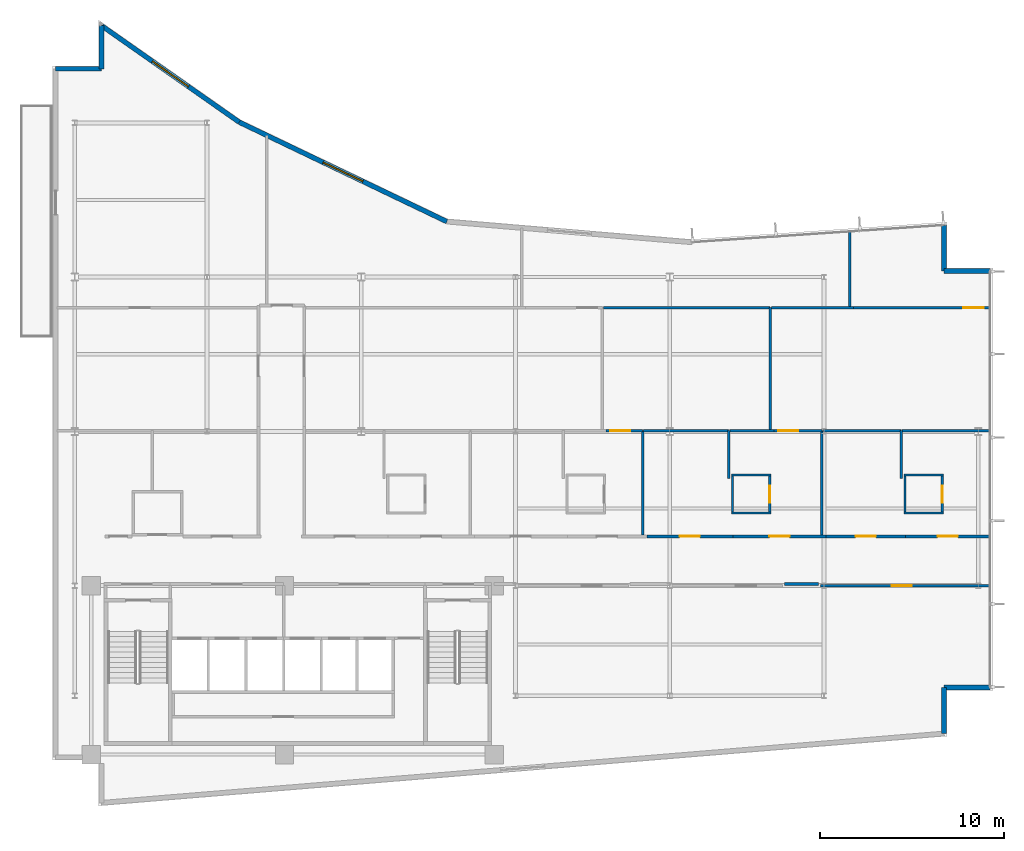
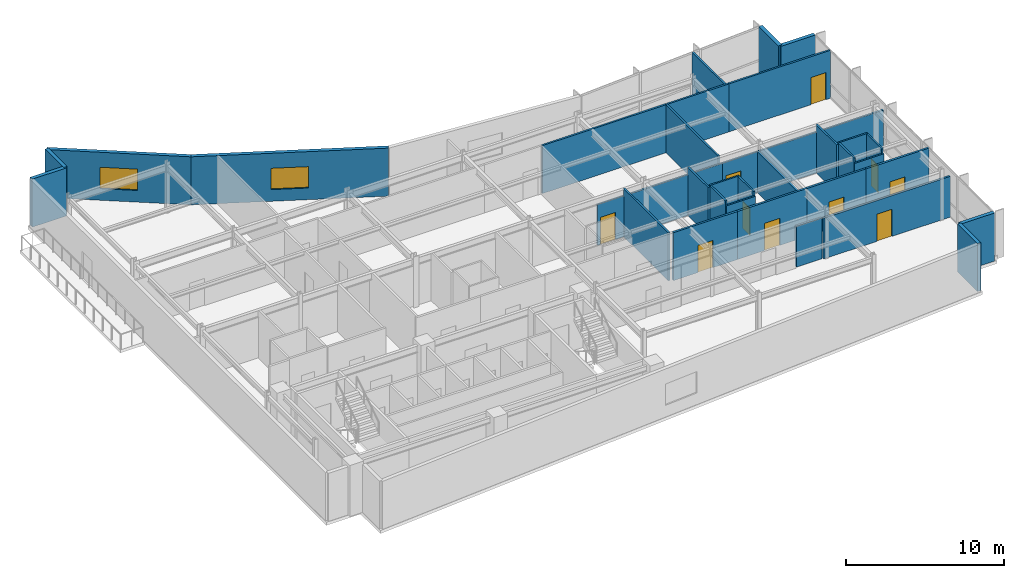
# One storey, part 13 of 17: 37 walls, 10 doors, 2 windows, 12 openings.
"""IFC4 building model written with IfcOpenShell, lengths in metres."""

from ifc_helpers import new_model, si_unit, direction, frame, frame_2d, origin, place, context, subcontext, project, spatial, rectangle, extrude, material, layer, layer_set, type_object, element, fill, save


model = new_model("IFC4")

# Units and contexts
model_context = context("Model", 3, precision=1e-05, world=origin(), true_north=direction((0.0, 1.0)))
body_context = subcontext(model_context, "Body", "Model", "MODEL_VIEW")
ifc_project = project(units=[si_unit("LENGTHUNIT", "METRE"), si_unit("AREAUNIT", "SQUARE_METRE"), si_unit("VOLUMEUNIT", "CUBIC_METRE"), si_unit("PLANEANGLEUNIT", "RADIAN"), si_unit("MASSUNIT", "GRAM", prefix="KILO")], contexts=[model_context])

# Site, building, storey
site_placement = place(None, origin())
site = spatial("IfcSite", under=ifc_project, at=site_placement, CompositionType="ELEMENT")
building_placement = place(site_placement, origin())
building = spatial("IfcBuilding", under=site, at=building_placement, Name="Varnakote Quay Hospital", CompositionType="ELEMENT")
storey_placement = place(building_placement, frame((0.0, 0.0, 203.949951171875)))
storey = spatial("IfcBuildingStorey", under=building, at=storey_placement, Name="L50", CompositionType="ELEMENT", Elevation=203.949951171875)

# Walls
ifc_material_1 = material(Name="Fire-rated acoustic gypsum stud wall", Category="gypsum")
ifc_layer_1 = layer(ifc_material_1, 0.159912109375)
ifc_layer_set_1 = layer_set([ifc_layer_1], Name="Fire-rated acoustic gypsum stud wall")
wall_type_1 = type_object("IfcWallType", Name="WL-COMP-160", PredefinedType="PARTITIONING", material=ifc_layer_set_1)
wall_1_placement = place(storey_placement, frame((39.83935546875, 12.080078125, 0.0), z_axis=(0.0, 0.0, 1.0), x_axis=(1.0, 0.0, 0.0)))
element("IfcWall", 1, at=wall_1_placement, inside=storey, type_object=wall_type_1, Name="L50 Corridor South Gap Wall", PredefinedType="PARTITIONING", context=body_context, shape_type="SweptSolid", body=[
    extrude(rectangle(XDim=1.871337890625, YDim=0.159912109375, at=frame_2d((0.935546875, 0.0))), origin(), (0.0, 0.0, 1.0), 3.152099609375),
])
ifc_material_2 = material(Name="Moisture-resistant bathroom partition", Category="gypsum")
ifc_layer_2 = layer(ifc_material_2, 0.114990234375)
ifc_layer_set_2 = layer_set([ifc_layer_2], Name="Moisture-resistant bathroom partition")
wall_type_2 = type_object("IfcWallType", Name="WL-ENS-115", PredefinedType="PARTITIONING", material=ifc_layer_set_2)
wall_2_placement = place(storey_placement, frame((36.955078125, 15.952392578125, 0.0), z_axis=(0.0, 0.0, 1.0), x_axis=(1.0, 0.0, 0.0)))
element("IfcWall", 2, at=wall_2_placement, inside=storey, type_object=wall_type_2, Name="L50 Inpatient En-Suite Bathroom 03 S Wall", PredefinedType="PARTITIONING", context=body_context, shape_type="SweptSolid", body=[
    extrude(rectangle(XDim=2.14990234375, YDim=0.114990234375, at=frame_2d((1.074951171875, 0.0))), origin(), (0.0, 0.0, 1.0), 3.381103515625),
])
wall_3_placement = place(storey_placement, frame((36.955078125, 18.017578125, 0.0), z_axis=(0.0, 0.0, 1.0), x_axis=(1.0, 0.0, 0.0)))
element("IfcWall", 3, at=wall_3_placement, inside=storey, type_object=wall_type_2, Name="L50 Inpatient En-Suite Bathroom 03 N Wall", PredefinedType="PARTITIONING", context=body_context, shape_type="SweptSolid", body=[
    extrude(rectangle(XDim=2.14990234375, YDim=0.114990234375, at=frame_2d((1.074951171875, 0.0))), origin(), (0.0, 0.0, 1.0), 3.7099609375),
])
wall_4_placement = place(storey_placement, frame((37.012451171875, 16.010009765625, 0.0), z_axis=(0.0, 0.0, 1.0), x_axis=(0.0, 1.0, 0.0)))
element("IfcWall", 4, at=wall_4_placement, inside=storey, type_object=wall_type_2, Name="L50 Inpatient En-Suite Bathroom 03 W Wall", PredefinedType="PARTITIONING", context=body_context, shape_type="SweptSolid", body=[
    extrude(rectangle(XDim=1.949951171875, YDim=0.114990234375, at=frame_2d((0.97509765625, 0.0))), origin(), (0.0, 0.0, 1.0), 3.7099609375),
])

# Wall, opening, door
wall_5_placement = place(storey_placement, frame((39.047607421875, 16.010009765625, 0.0), z_axis=(0.0, 0.0, 1.0), x_axis=(0.0, 1.0, 0.0)))
wall_5 = element("IfcWall", 5, at=wall_5_placement, inside=storey, type_object=wall_type_2, Name="L50 Inpatient En-Suite Bathroom 03 E Wall", PredefinedType="PARTITIONING", context=body_context, shape_type="SweptSolid", body=[
    extrude(rectangle(XDim=1.949951171875, YDim=0.114990234375, at=frame_2d((0.97509765625, 0.0))), origin(), (0.0, 0.0, 1.0), 3.7099609375),
])
opening_1_placement = place(wall_5_placement, frame((0.514892578125, 0.0, 0.0)))
opening_1 = element("IfcOpeningElement", 6, at=opening_1_placement, cuts=wall_5, Name="Opening D-L50-ENS03", PredefinedType="OPENING", context=body_context, shape_type="SweptSolid", body=[
    extrude(rectangle(XDim=0.919921875, YDim=2.10009765625, at=frame_2d((0.4599609375, 1.050048828125))), frame((0.0, 0.0673828125, 0.0), z_axis=(0.0, -1.0, 0.0), x_axis=(1.0, 0.0, 0.0)), (0.0, 0.0, 1.0), 0.135009765625),
])
ifc_material_3 = material(Name="Moisture-sealed en-suite bathroom door")
door_type_1 = type_object("IfcDoorType", Name="DR-ENS-920x2100", OperationType="NOTDEFINED", PredefinedType="DOOR", material=ifc_material_3)
door_1_placement = place(opening_1_placement, origin())
door_1 = element("IfcDoor", 7, at=door_1_placement, inside=storey, type_object=door_type_1, Name="L50 Inpatient En-Suite Bathroom 03 Door", OperationType="SINGLE_SWING_LEFT", OverallHeight=2.10009765625, OverallWidth=0.919921875, PredefinedType="DOOR", context=body_context, shape_type="SweptSolid", body=[
    extrude(rectangle(XDim=0.919921875, YDim=2.10009765625, at=frame_2d((0.4599609375, 1.050048828125))), frame((0.0, 0.02490234375, 0.0), z_axis=(0.0, -1.0, 0.0), x_axis=(1.0, 0.0, 0.0)), (0.0, 0.0, 1.0), 0.050048828125),
])
fill(opening_1, door_1)

# Walls
wall_6_placement = place(storey_placement, frame((46.344970703125, 15.952392578125, 0.0), z_axis=(0.0, 0.0, 1.0), x_axis=(1.0, 0.0, 0.0)))
element("IfcWall", 8, at=wall_6_placement, inside=storey, type_object=wall_type_2, Name="L50 Inpatient En-Suite Bathroom 04 S Wall", PredefinedType="PARTITIONING", context=body_context, shape_type="SweptSolid", body=[
    extrude(rectangle(XDim=2.150146484375, YDim=0.114990234375, at=frame_2d((1.0751953125, 0.0))), origin(), (0.0, 0.0, 1.0), 3.381103515625),
])
wall_7_placement = place(storey_placement, frame((46.344970703125, 18.017578125, 0.0), z_axis=(0.0, 0.0, 1.0), x_axis=(1.0, 0.0, 0.0)))
element("IfcWall", 9, at=wall_7_placement, inside=storey, type_object=wall_type_2, Name="L50 Inpatient En-Suite Bathroom 04 N Wall", PredefinedType="PARTITIONING", context=body_context, shape_type="SweptSolid", body=[
    extrude(rectangle(XDim=2.150146484375, YDim=0.114990234375, at=frame_2d((1.0751953125, 0.0))), origin(), (0.0, 0.0, 1.0), 3.7099609375),
])
wall_8_placement = place(storey_placement, frame((46.402587890625, 16.010009765625, 0.0), z_axis=(0.0, 0.0, 1.0), x_axis=(0.0, 1.0, 0.0)))
element("IfcWall", 10, at=wall_8_placement, inside=storey, type_object=wall_type_2, Name="L50 Inpatient En-Suite Bathroom 04 W Wall", PredefinedType="PARTITIONING", context=body_context, shape_type="SweptSolid", body=[
    extrude(rectangle(XDim=1.949951171875, YDim=0.114990234375, at=frame_2d((0.97509765625, 0.0))), origin(), (0.0, 0.0, 1.0), 3.7099609375),
])

# Wall, opening, door
wall_9_placement = place(storey_placement, frame((48.4375, 16.010009765625, 0.0), z_axis=(0.0, 0.0, 1.0), x_axis=(0.0, 1.0, 0.0)))
wall_9 = element("IfcWall", 11, at=wall_9_placement, inside=storey, type_object=wall_type_2, Name="L50 Inpatient En-Suite Bathroom 04 E Wall", PredefinedType="PARTITIONING", context=body_context, shape_type="SweptSolid", body=[
    extrude(rectangle(XDim=1.949951171875, YDim=0.114990234375, at=frame_2d((0.97509765625, 0.0))), origin(), (0.0, 0.0, 1.0), 3.7099609375),
])
opening_2_placement = place(wall_9_placement, frame((0.514892578125, 0.0, 0.0)))
opening_2 = element("IfcOpeningElement", 12, at=opening_2_placement, cuts=wall_9, Name="Opening D-L50-ENS04", PredefinedType="OPENING", context=body_context, shape_type="SweptSolid", body=[
    extrude(rectangle(XDim=0.919921875, YDim=2.10009765625, at=frame_2d((0.4599609375, 1.050048828125))), frame((0.0, 0.0673828125, 0.0), z_axis=(0.0, -1.0, 0.0), x_axis=(1.0, 0.0, 0.0)), (0.0, 0.0, 1.0), 0.135009765625),
])
door_2_placement = place(opening_2_placement, origin())
door_2 = element("IfcDoor", 13, at=door_2_placement, inside=storey, type_object=door_type_1, Name="L50 Inpatient En-Suite Bathroom 04 Door", OperationType="SINGLE_SWING_RIGHT", OverallHeight=2.10009765625, OverallWidth=0.919921875, PredefinedType="DOOR", context=body_context, shape_type="SweptSolid", body=[
    extrude(rectangle(XDim=0.919921875, YDim=2.10009765625, at=frame_2d((0.4599609375, 1.050048828125))), frame((0.0, 0.02490234375, 0.0), z_axis=(0.0, -1.0, 0.0), x_axis=(1.0, 0.0, 0.0)), (0.0, 0.0, 1.0), 0.050048828125),
])
fill(opening_2, door_2)

# Walls
ifc_material_4 = material(Name="Precast concrete N50 (f'c 50 MPa)", Category="concrete")
ifc_layer_3 = layer(ifc_material_4, 0.260009765625)
ifc_layer_set_3 = layer_set([ifc_layer_3], Name="Precast concrete N50 (f'c 50 MPa)")
wall_type_3 = type_object("IfcWallType", Name="WL-EXT-BRICK-260", PredefinedType="STANDARD", material=ifc_layer_set_3)
wall_10_placement = place(storey_placement, frame((48.5400390625, 3.947509765625, 0.0), z_axis=(0.0, 0.0, 1.0), x_axis=(0.0, 1.0, 0.0)))
element("IfcWall", 14, at=wall_10_placement, inside=storey, type_object=wall_type_3, Name="L50 Brick-Faced Precast Exterior Wall", PredefinedType="STANDARD", context=body_context, shape_type="SweptSolid", body=[
    extrude(rectangle(XDim=2.512451171875, YDim=0.260009765625, at=frame_2d((1.25634765625, 0.0))), origin(), (0.0, 0.0, 1.0), 3.7099609375),
])
for number, where, z_axis, x_axis, name in (
    (15, (48.5400390625, 6.4599609375, 0.0), (0.0, 0.0, 1.0), (1.0, 0.0, 0.0), "L50 Brick-Faced Precast Exterior Wall"),
    (16, (51.0400390625, 29.139892578125, 0.0), (0.0, 0.0, 1.0), (-1.0, 0.0, 0.0), "L50 Brick-Faced Precast Exterior Wall"),
):
    element("IfcWall", number, at=place(storey_placement, frame(where, z_axis=z_axis, x_axis=x_axis)), inside=storey, type_object=wall_type_3, Name=name, PredefinedType="STANDARD", context=body_context, shape_type="SweptSolid", body=[
        extrude(rectangle(XDim=2.5, YDim=0.260009765625, at=frame_2d((1.25, 0.0))), origin(), (0.0, 0.0, 1.0), 3.7099609375),
    ])
wall_11_placement = place(storey_placement, frame((48.5400390625, 29.139892578125, 0.0), z_axis=(0.0, 0.0, 1.0), x_axis=(0.0, 1.0, 0.0)))
element("IfcWall", 17, at=wall_11_placement, inside=storey, type_object=wall_type_3, Name="L50 Brick-Faced Precast Exterior Wall", PredefinedType="STANDARD", context=body_context, shape_type="SweptSolid", body=[
    extrude(rectangle(XDim=2.489013671875, YDim=0.260009765625, at=frame_2d((1.24462890625, 0.0))), origin(), (0.0, 0.0, 1.0), 3.7099609375),
])

# Wall, opening, window
wall_12_placement = place(storey_placement, frame((21.461181640625, 31.822998046875, 0.0), z_axis=(0.0, 0.0, 1.0), x_axis=(-0.901858094827, 0.432032379336, 0.0)))
wall_12 = element("IfcWall", 18, at=wall_12_placement, inside=storey, type_object=wall_type_3, Name="L50 Brick-Faced Precast Exterior Wall", PredefinedType="STANDARD", context=body_context, shape_type="SweptSolid", body=[
    extrude(rectangle(XDim=12.5322265625, YDim=0.260009765625, at=frame_2d((6.26611328125, 0.0))), origin(), (0.0, 0.0, 1.0), 3.7099609375),
])
opening_3_placement = place(wall_12_placement, frame((5.066162109375, 0.0, 0.89990234375)))
opening_3 = element("IfcOpeningElement", 19, at=opening_3_placement, cuts=wall_12, Name="Opening WN-0208", PredefinedType="OPENING", context=body_context, shape_type="SweptSolid", body=[
    extrude(rectangle(XDim=2.39990234375, YDim=1.64990234375, at=frame_2d((1.199951171875, 0.824951171875))), frame((0.0, 0.139892578125, 0.0), z_axis=(0.0, -1.0, 0.0), x_axis=(1.0, 0.0, 0.0)), (0.0, 0.0, 1.0), 0.280029296875),
])
ifc_material_5 = material(Name="Double-glazed low-E solar glass", Category="glass")
window_type = type_object("IfcWindowType", Name="WIN-CLIN-2400x1650", PartitioningType="SINGLE_PANEL", PredefinedType="WINDOW", material=ifc_material_5)
window_1_placement = place(opening_3_placement, origin())
window_1 = element("IfcWindow", 20, at=window_1_placement, inside=storey, type_object=window_type, Name="L50 Solar-Control Clinical Window", OverallHeight=1.64990234375, OverallWidth=2.39990234375, PartitioningType="SINGLE_PANEL", PredefinedType="WINDOW", context=body_context, shape_type="SweptSolid", body=[
    extrude(rectangle(XDim=2.39990234375, YDim=1.64990234375, at=frame_2d((1.199951171875, 0.824951171875))), frame((0.0, 0.030029296875, 0.0), z_axis=(0.0, -1.0, 0.0), x_axis=(1.0, 0.0, 0.0)), (0.0, 0.0, 1.0), 0.06005859375),
])
fill(opening_3, window_1)

wall_13_placement = place(storey_placement, frame((10.158935546875, 37.2373046875, 0.0), z_axis=(0.0, 0.0, 1.0), x_axis=(-0.818933702389, 0.57388813465, 0.0)))
wall_13 = element("IfcWall", 21, at=wall_13_placement, inside=storey, type_object=wall_type_3, Name="L50 Brick-Faced Precast Exterior Wall", PredefinedType="STANDARD", context=body_context, shape_type="SweptSolid", body=[
    extrude(rectangle(XDim=9.156982421875, YDim=0.260009765625, at=frame_2d((4.57861328125, 0.0))), origin(), (0.0, 0.0, 1.0), 3.7099609375),
])
opening_4_placement = place(wall_13_placement, frame((3.37841796875, 0.0, 0.89990234375)))
opening_4 = element("IfcOpeningElement", 22, at=opening_4_placement, cuts=wall_13, Name="Opening WN-0209", PredefinedType="OPENING", context=body_context, shape_type="SweptSolid", body=[
    extrude(rectangle(XDim=2.39990234375, YDim=1.64990234375, at=frame_2d((1.199951171875, 0.824951171875))), frame((0.0, 0.139892578125, 0.0), z_axis=(0.0, -1.0, 0.0), x_axis=(1.0, 0.0, 0.0)), (0.0, 0.0, 1.0), 0.280029296875),
])
window_2_placement = place(opening_4_placement, origin())
window_2 = element("IfcWindow", 23, at=window_2_placement, inside=storey, type_object=window_type, Name="L50 Solar-Control Clinical Window", OverallHeight=1.64990234375, OverallWidth=2.39990234375, PartitioningType="SINGLE_PANEL", PredefinedType="WINDOW", context=body_context, shape_type="SweptSolid", body=[
    extrude(rectangle(XDim=2.39990234375, YDim=1.64990234375, at=frame_2d((1.199951171875, 0.824951171875))), frame((0.0, 0.030029296875, 0.0), z_axis=(0.0, -1.0, 0.0), x_axis=(1.0, 0.0, 0.0)), (0.0, 0.0, 1.0), 0.06005859375),
])
fill(opening_4, window_2)

# Walls
wall_14_placement = place(storey_placement, frame((2.659912109375, 42.492431640625, 0.0), z_axis=(0.0, 0.0, 1.0), x_axis=(0.0, -1.0, 0.0)))
element("IfcWall", 24, at=wall_14_placement, inside=storey, type_object=wall_type_3, Name="L50 Brick-Faced Precast Exterior Wall", PredefinedType="STANDARD", context=body_context, shape_type="SweptSolid", body=[
    extrude(rectangle(XDim=2.3525390625, YDim=0.260009765625, at=frame_2d((1.17626953125, 0.0))), origin(), (0.0, 0.0, 1.0), 3.7099609375),
])
wall_15_placement = place(storey_placement, frame((2.659912109375, 40.139892578125, 0.0), z_axis=(0.0, 0.0, 1.0), x_axis=(-1.0, 0.0, 0.0)))
element("IfcWall", 25, at=wall_15_placement, inside=storey, type_object=wall_type_3, Name="L50 Brick-Faced Precast Exterior Wall", PredefinedType="STANDARD", context=body_context, shape_type="SweptSolid", body=[
    extrude(rectangle(XDim=2.5, YDim=0.260009765625, at=frame_2d((1.25, 0.0))), origin(), (0.0, 0.0, 1.0), 3.7099609375),
])
ifc_material_6 = material(Name="Smoke-proof clinical partition", Category="gypsum")
ifc_layer_4 = layer(ifc_material_6, 0.135009765625)
ifc_layer_set_4 = layer_set([ifc_layer_4], Name="Smoke-proof clinical partition")
wall_type_4 = type_object("IfcWallType", Name="WL-SMOKE-135", PredefinedType="PARTITIONING", material=ifc_layer_set_4)
wall_16_placement = place(storey_placement, frame((32.1201171875, 14.760009765625, 0.0), z_axis=(0.0, 0.0, 1.0), x_axis=(0.0, 1.0, 0.0)))
element("IfcWall", 26, at=wall_16_placement, inside=storey, type_object=wall_type_4, Name="L50 Clinical Interior Partition", PredefinedType="PARTITIONING", context=body_context, shape_type="SweptSolid", body=[
    extrude(rectangle(XDim=5.679931640625, YDim=0.135009765625, at=frame_2d((2.83984375, 0.0))), origin(), (0.0, 0.0, 1.0), 3.7099609375),
])

# Wall, opening, door
wall_17_placement = place(storey_placement, frame((32.1201171875, 20.43994140625, 0.0), z_axis=(0.0, 0.0, 1.0), x_axis=(-1.0, 0.0, 0.0)))
wall_17 = element("IfcWall", 27, at=wall_17_placement, inside=storey, type_object=wall_type_4, Name="L50 Clinical Interior Partition", PredefinedType="PARTITIONING", context=body_context, shape_type="SweptSolid", body=[
    extrude(rectangle(XDim=1.980712890625, YDim=0.135009765625, at=frame_2d((0.990234375, 0.0))), origin(), (0.0, 0.0, 1.0), 3.152099609375),
])
opening_5_placement = place(wall_17_placement, frame((0.66845703125, 0.0, 0.0)))
opening_5 = element("IfcOpeningElement", 28, at=opening_5_placement, cuts=wall_17, Name="Opening D-L50-MD08", PredefinedType="OPENING", context=body_context, shape_type="SweptSolid", body=[
    extrude(rectangle(XDim=1.10009765625, YDim=2.10009765625, at=frame_2d((0.550048828125, 1.050048828125))), frame((0.0, 0.077392578125, 0.0), z_axis=(0.0, -1.0, 0.0), x_axis=(1.0, 0.0, 0.0)), (0.0, 0.0, 1.0), 0.155029296875),
])
ifc_material_7 = material(Name="Acoustic timber clinical consult door", Category="wood")
door_type_2 = type_object("IfcDoorType", Name="DR-CLIN-FD30S-1100x2100", OperationType="NOTDEFINED", PredefinedType="DOOR", material=ifc_material_7)
door_3_placement = place(opening_5_placement, origin())
door_3 = element("IfcDoor", 29, at=door_3_placement, inside=storey, type_object=door_type_2, Name="L50 Neuro-Rehab Clinical Consultation Suite Door", OperationType="SINGLE_SWING_LEFT", OverallHeight=2.10009765625, OverallWidth=1.10009765625, PredefinedType="DOOR", context=body_context, shape_type="SweptSolid", body=[
    extrude(rectangle(XDim=1.10009765625, YDim=2.10009765625, at=frame_2d((0.550048828125, 1.050048828125))), frame((0.0, 0.02490234375, 0.0), z_axis=(0.0, -1.0, 0.0), x_axis=(1.0, 0.0, 0.0)), (0.0, 0.0, 1.0), 0.050048828125),
])
fill(opening_5, door_3)

# Walls
wall_18_placement = place(storey_placement, frame((36.81005859375, 17.83251953125, 0.0), z_axis=(0.0, 0.0, 1.0), x_axis=(0.0, 1.0, 0.0)))
element("IfcWall", 30, at=wall_18_placement, inside=storey, type_object=wall_type_4, Name="L50 Clinical Interior Partition", PredefinedType="PARTITIONING", context=body_context, shape_type="SweptSolid", body=[
    extrude(rectangle(XDim=2.607421875, YDim=0.135009765625, at=frame_2d((1.3037109375, 0.0))), origin(), (0.0, 0.0, 1.0), 3.7099609375),
])
wall_19_placement = place(storey_placement, frame((36.81005859375, 20.43994140625, 0.0), z_axis=(0.0, 0.0, 1.0), x_axis=(-1.0, 0.0, 0.0)))
element("IfcWall", 31, at=wall_19_placement, inside=storey, type_object=wall_type_4, Name="L50 Clinical Interior Partition", PredefinedType="PARTITIONING", context=body_context, shape_type="SweptSolid", body=[
    extrude(rectangle(XDim=4.632568359375, YDim=0.135009765625, at=frame_2d((2.31640625, 0.0))), origin(), (0.0, 0.0, 1.0), 3.152099609375),
])
wall_20_placement = place(storey_placement, frame((41.8798828125, 14.760009765625, 0.0), z_axis=(0.0, 0.0, 1.0), x_axis=(0.0, 1.0, 0.0)))
element("IfcWall", 32, at=wall_20_placement, inside=storey, type_object=wall_type_4, Name="L50 Clinical Interior Partition", PredefinedType="PARTITIONING", context=body_context, shape_type="SweptSolid", body=[
    extrude(rectangle(XDim=5.679931640625, YDim=0.135009765625, at=frame_2d((2.83984375, 0.0))), origin(), (0.0, 0.0, 1.0), 3.156982421875),
])
wall_21_placement = place(storey_placement, frame((39.277587890625, 20.43994140625, 0.0), z_axis=(0.0, 0.0, 1.0), x_axis=(-1.0, 0.0, 0.0)))
element("IfcWall", 33, at=wall_21_placement, inside=storey, type_object=wall_type_4, Name="L50 Clinical Interior Partition", PredefinedType="PARTITIONING", context=body_context, shape_type="SweptSolid", body=[
    extrude(rectangle(XDim=2.41015625, YDim=0.135009765625, at=frame_2d((1.205078125, 0.0))), origin(), (0.0, 0.0, 1.0), 3.152099609375),
])

# Wall, opening, door
wall_22_placement = place(storey_placement, frame((41.8798828125, 20.43994140625, 0.0), z_axis=(0.0, 0.0, 1.0), x_axis=(-1.0, 0.0, 0.0)))
wall_22 = element("IfcWall", 34, at=wall_22_placement, inside=storey, type_object=wall_type_4, Name="L50 Clinical Interior Partition", PredefinedType="PARTITIONING", context=body_context, shape_type="SweptSolid", body=[
    extrude(rectangle(XDim=2.600341796875, YDim=0.135009765625, at=frame_2d((1.30029296875, 0.0))), origin(), (0.0, 0.0, 1.0), 3.152099609375),
])
opening_6_placement = place(wall_22_placement, frame((1.27294921875, 0.0, 0.0)))
opening_6 = element("IfcOpeningElement", 35, at=opening_6_placement, cuts=wall_22, Name="Opening D-L50-MD09", PredefinedType="OPENING", context=body_context, shape_type="SweptSolid", body=[
    extrude(rectangle(XDim=1.10009765625, YDim=2.10009765625, at=frame_2d((0.550048828125, 1.050048828125))), frame((0.0, 0.077392578125, 0.0), z_axis=(0.0, -1.0, 0.0), x_axis=(1.0, 0.0, 0.0)), (0.0, 0.0, 1.0), 0.155029296875),
])
door_4_placement = place(opening_6_placement, origin())
door_4 = element("IfcDoor", 36, at=door_4_placement, inside=storey, type_object=door_type_2, Name="L50 Neurology Clinical Teaching Room Door", OperationType="SINGLE_SWING_RIGHT", OverallHeight=2.10009765625, OverallWidth=1.10009765625, PredefinedType="DOOR", context=body_context, shape_type="SweptSolid", body=[
    extrude(rectangle(XDim=1.10009765625, YDim=2.10009765625, at=frame_2d((0.550048828125, 1.050048828125))), frame((0.0, 0.02490234375, 0.0), z_axis=(0.0, -1.0, 0.0), x_axis=(1.0, 0.0, 0.0)), (0.0, 0.0, 1.0), 0.050048828125),
])
fill(opening_6, door_4)

# Walls
wall_23_placement = place(storey_placement, frame((46.199951171875, 17.83251953125, 0.0), z_axis=(0.0, 0.0, 1.0), x_axis=(0.0, 1.0, 0.0)))
element("IfcWall", 37, at=wall_23_placement, inside=storey, type_object=wall_type_4, Name="L50 Clinical Interior Partition", PredefinedType="PARTITIONING", context=body_context, shape_type="SweptSolid", body=[
    extrude(rectangle(XDim=2.607421875, YDim=0.135009765625, at=frame_2d((1.3037109375, 0.0))), origin(), (0.0, 0.0, 1.0), 3.7099609375),
])
wall_24_placement = place(storey_placement, frame((46.199951171875, 20.43994140625, 0.0), z_axis=(0.0, 0.0, 1.0), x_axis=(-1.0, 0.0, 0.0)))
element("IfcWall", 38, at=wall_24_placement, inside=storey, type_object=wall_type_4, Name="L50 Clinical Interior Partition", PredefinedType="PARTITIONING", context=body_context, shape_type="SweptSolid", body=[
    extrude(rectangle(XDim=4.262451171875, YDim=0.135009765625, at=frame_2d((2.13134765625, 0.0))), origin(), (0.0, 0.0, 1.0), 3.152099609375),
])
wall_25_placement = place(storey_placement, frame((51.0400390625, 20.43994140625, 0.0), z_axis=(0.0, 0.0, 1.0), x_axis=(-1.0, 0.0, 0.0)))
element("IfcWall", 39, at=wall_25_placement, inside=storey, type_object=wall_type_4, Name="L50 Clinical Interior Partition", PredefinedType="PARTITIONING", context=body_context, shape_type="SweptSolid", body=[
    extrude(rectangle(XDim=4.782470703125, YDim=0.135009765625, at=frame_2d((2.39111328125, 0.0))), origin(), (0.0, 0.0, 1.0), 3.152099609375),
])
wall_26_placement = place(storey_placement, frame((39.070068359375, 20.49755859375, 0.0), z_axis=(0.0, 0.0, 1.0), x_axis=(0.0, 1.0, 0.0)))
element("IfcWall", 40, at=wall_26_placement, inside=storey, type_object=wall_type_4, Name="L50 Clinical Interior Partition", PredefinedType="PARTITIONING", context=body_context, shape_type="SweptSolid", body=[
    extrude(rectangle(XDim=6.642333984375, YDim=0.135009765625, at=frame_2d((3.3212890625, 0.0))), origin(), (0.0, 0.0, 1.0), 3.7099609375),
])
wall_27_placement = place(storey_placement, frame((39.070068359375, 27.139892578125, 0.0), z_axis=(0.0, 0.0, 1.0), x_axis=(-1.0, 0.0, 0.0)))
element("IfcWall", 41, at=wall_27_placement, inside=storey, type_object=wall_type_4, Name="L50 Clinical Interior Partition", PredefinedType="PARTITIONING", context=body_context, shape_type="SweptSolid", body=[
    extrude(rectangle(XDim=9.08251953125, YDim=0.135009765625, at=frame_2d((4.541259765625, 0.0))), origin(), (0.0, 0.0, 1.0), 3.7099609375),
])
wall_28_placement = place(storey_placement, frame((43.607421875, 27.139892578125, 0.0), z_axis=(0.0, 0.0, 1.0), x_axis=(-1.0, 0.0, 0.0)))
element("IfcWall", 42, at=wall_28_placement, inside=storey, type_object=wall_type_4, Name="L50 Clinical Interior Partition", PredefinedType="PARTITIONING", context=body_context, shape_type="SweptSolid", body=[
    extrude(rectangle(XDim=4.47998046875, YDim=0.135009765625, at=frame_2d((2.239990234375, 0.0))), origin(), (0.0, 0.0, 1.0), 3.7099609375),
])

# Wall, opening, door
wall_29_placement = place(storey_placement, frame((51.0400390625, 27.139892578125, 0.0), z_axis=(0.0, 0.0, 1.0), x_axis=(-1.0, 0.0, 0.0)))
wall_29 = element("IfcWall", 43, at=wall_29_placement, inside=storey, type_object=wall_type_4, Name="L50 Clinical Interior Partition", PredefinedType="PARTITIONING", context=body_context, shape_type="SweptSolid", body=[
    extrude(rectangle(XDim=7.430419921875, YDim=0.135009765625, at=frame_2d((3.71533203125, 0.0))), origin(), (0.0, 0.0, 1.0), 3.7099609375),
])
opening_7_placement = place(wall_29_placement, frame((0.348388671875, 0.0, 0.0)))
opening_7 = element("IfcOpeningElement", 44, at=opening_7_placement, cuts=wall_29, Name="Opening D-L50-MD13", PredefinedType="OPENING", context=body_context, shape_type="SweptSolid", body=[
    extrude(rectangle(XDim=1.10009765625, YDim=2.10009765625, at=frame_2d((0.550048828125, 1.050048828125))), frame((0.0, 0.077392578125, 0.0), z_axis=(0.0, -1.0, 0.0), x_axis=(1.0, 0.0, 0.0)), (0.0, 0.0, 1.0), 0.155029296875),
])
door_5_placement = place(opening_7_placement, origin())
door_5 = element("IfcDoor", 45, at=door_5_placement, inside=storey, type_object=door_type_2, Name="L50 Neurology Clinical Teaching Room Door", OperationType="SINGLE_SWING_LEFT", OverallHeight=2.10009765625, OverallWidth=1.10009765625, PredefinedType="DOOR", context=body_context, shape_type="SweptSolid", body=[
    extrude(rectangle(XDim=1.10009765625, YDim=2.10009765625, at=frame_2d((0.550048828125, 1.050048828125))), frame((0.0, 0.02490234375, 0.0), z_axis=(0.0, -1.0, 0.0), x_axis=(1.0, 0.0, 0.0)), (0.0, 0.0, 1.0), 0.050048828125),
])
fill(opening_7, door_5)

# Wall
wall_30_placement = place(storey_placement, frame((43.39990234375, 27.197509765625, 0.0), z_axis=(0.0, 0.0, 1.0), x_axis=(0.0, 1.0, 0.0)))
element("IfcWall", 46, at=wall_30_placement, inside=storey, type_object=wall_type_4, Name="L50 Clinical Interior Partition", PredefinedType="PARTITIONING", context=body_context, shape_type="SweptSolid", body=[
    extrude(rectangle(XDim=4.081787109375, YDim=0.135009765625, at=frame_2d((2.041015625, 0.0))), origin(), (0.0, 0.0, 1.0), 3.7099609375),
])

# Wall, opening, door
ifc_material_8 = material(Name="Fire-rated clinical gypsum partition", Category="gypsum")
ifc_layer_5 = layer(ifc_material_8, 0.14990234375)
ifc_layer_set_5 = layer_set([ifc_layer_5], Name="Fire-rated clinical gypsum partition")
wall_type_5 = type_object("IfcWallType", Name="WL-WARD-150", PredefinedType="PARTITIONING", material=ifc_layer_set_5)
wall_31_placement = place(storey_placement, frame((51.0400390625, 12.0, 0.0), z_axis=(0.0, 0.0, 1.0), x_axis=(-1.0, 0.0, 0.0)))
wall_31 = element("IfcWall", 47, at=wall_31_placement, inside=storey, type_object=wall_type_5, Name="L50 Clinical Interior Partition", PredefinedType="PARTITIONING", context=body_context, shape_type="SweptSolid", body=[
    extrude(rectangle(XDim=9.239990234375, YDim=0.14990234375, at=frame_2d((4.6201171875, 0.0))), origin(), (0.0, 0.0, 1.0), 3.152099609375),
])
opening_8_placement = place(wall_31_placement, frame((4.263427734375, 0.0, 0.0)))
opening_8 = element("IfcOpeningElement", 48, at=opening_8_placement, cuts=wall_31, Name="Opening D-L50-SE1", PredefinedType="OPENING", context=body_context, shape_type="SweptSolid", body=[
    extrude(rectangle(XDim=1.10009765625, YDim=2.10009765625, at=frame_2d((0.550048828125, 1.050048828125))), frame((0.0, 0.0849609375, 0.0), z_axis=(0.0, -1.0, 0.0), x_axis=(1.0, 0.0, 0.0)), (0.0, 0.0, 1.0), 0.169921875),
])
door_6_placement = place(opening_8_placement, origin())
door_6 = element("IfcDoor", 49, at=door_6_placement, inside=storey, type_object=door_type_2, Name="L50 Clinical Biomedical Engineering Office Door", OperationType="SINGLE_SWING_LEFT", OverallHeight=2.10009765625, OverallWidth=1.10009765625, PredefinedType="DOOR", context=body_context, shape_type="SweptSolid", body=[
    extrude(rectangle(XDim=1.10009765625, YDim=2.10009765625, at=frame_2d((0.550048828125, 1.050048828125))), frame((0.0, 0.02490234375, 0.0), z_axis=(0.0, -1.0, 0.0), x_axis=(1.0, 0.0, 0.0)), (0.0, 0.0, 1.0), 0.050048828125),
])
fill(opening_8, door_6)

wall_32_placement = place(storey_placement, frame((37.035888671875, 14.679931640625, 0.0), z_axis=(0.0, 0.0, 1.0), x_axis=(-1.0, 0.0, 0.0)))
wall_32 = element("IfcWall", 50, at=wall_32_placement, inside=storey, type_object=wall_type_5, Name="L50 Clinical Interior Partition", PredefinedType="PARTITIONING", context=body_context, shape_type="SweptSolid", body=[
    extrude(rectangle(XDim=4.68798828125, YDim=0.14990234375, at=frame_2d((2.343994140625, 0.0))), origin(), (0.0, 0.0, 1.0), 3.7099609375),
])
opening_9_placement = place(wall_32_placement, frame((1.7939453125, 0.0, 0.0)))
opening_9 = element("IfcOpeningElement", 51, at=opening_9_placement, cuts=wall_32, Name="Opening D-L50-MD05", PredefinedType="OPENING", context=body_context, shape_type="SweptSolid", body=[
    extrude(rectangle(XDim=1.10009765625, YDim=2.10009765625, at=frame_2d((0.550048828125, 1.050048828125))), frame((0.0, 0.0849609375, 0.0), z_axis=(0.0, -1.0, 0.0), x_axis=(1.0, 0.0, 0.0)), (0.0, 0.0, 1.0), 0.169921875),
])
door_7_placement = place(opening_9_placement, origin())
door_7 = element("IfcDoor", 52, at=door_7_placement, inside=storey, type_object=door_type_2, Name="L50 Neurology Clinical Teaching Room Door", OperationType="SINGLE_SWING_RIGHT", OverallHeight=2.10009765625, OverallWidth=1.10009765625, PredefinedType="DOOR", context=body_context, shape_type="SweptSolid", body=[
    extrude(rectangle(XDim=1.10009765625, YDim=2.10009765625, at=frame_2d((0.550048828125, 1.050048828125))), frame((0.0, 0.02490234375, 0.0), z_axis=(0.0, -1.0, 0.0), x_axis=(1.0, 0.0, 0.0)), (0.0, 0.0, 1.0), 0.050048828125),
])
fill(opening_9, door_7)

wall_33_placement = place(storey_placement, frame((42.10595703125, 14.679931640625, 0.0), z_axis=(0.0, 0.0, 1.0), x_axis=(-1.0, 0.0, 0.0)))
wall_33 = element("IfcWall", 53, at=wall_33_placement, inside=storey, type_object=wall_type_5, Name="L50 Clinical Interior Partition", PredefinedType="PARTITIONING", context=body_context, shape_type="SweptSolid", body=[
    extrude(rectangle(XDim=5.06787109375, YDim=0.14990234375, at=frame_2d((2.533935546875, 0.0))), origin(), (0.0, 0.0, 1.0), 3.7099609375),
])
opening_10_placement = place(wall_33_placement, frame((1.98388671875, 0.0, 0.0)))
opening_10 = element("IfcOpeningElement", 54, at=opening_10_placement, cuts=wall_33, Name="Opening D-L50-BR03", PredefinedType="OPENING", context=body_context, shape_type="SweptSolid", body=[
    extrude(rectangle(XDim=1.10009765625, YDim=2.10009765625, at=frame_2d((0.550048828125, 1.050048828125))), frame((0.0, 0.0849609375, 0.0), z_axis=(0.0, -1.0, 0.0), x_axis=(1.0, 0.0, 0.0)), (0.0, 0.0, 1.0), 0.169921875),
])
door_8_placement = place(opening_10_placement, origin())
door_8 = element("IfcDoor", 55, at=door_8_placement, inside=storey, type_object=door_type_2, Name="L50 Inpatient Clinical Treatment Room 03 Door", OperationType="SINGLE_SWING_LEFT", OverallHeight=2.10009765625, OverallWidth=1.10009765625, PredefinedType="DOOR", context=body_context, shape_type="SweptSolid", body=[
    extrude(rectangle(XDim=1.10009765625, YDim=2.10009765625, at=frame_2d((0.550048828125, 1.050048828125))), frame((0.0, 0.02490234375, 0.0), z_axis=(0.0, -1.0, 0.0), x_axis=(1.0, 0.0, 0.0)), (0.0, 0.0, 1.0), 0.050048828125),
])
fill(opening_10, door_8)

wall_34_placement = place(storey_placement, frame((46.426025390625, 14.679931640625, 0.0), z_axis=(0.0, 0.0, 1.0), x_axis=(-1.0, 0.0, 0.0)))
wall_34 = element("IfcWall", 56, at=wall_34_placement, inside=storey, type_object=wall_type_5, Name="L50 Clinical Interior Partition", PredefinedType="PARTITIONING", context=body_context, shape_type="SweptSolid", body=[
    extrude(rectangle(XDim=4.318115234375, YDim=0.14990234375, at=frame_2d((2.1591796875, 0.0))), origin(), (0.0, 0.0, 1.0), 3.7099609375),
])
opening_11_placement = place(wall_34_placement, frame((1.60888671875, 0.0, 0.0)))
opening_11 = element("IfcOpeningElement", 57, at=opening_11_placement, cuts=wall_34, Name="Opening D-L50-MD06", PredefinedType="OPENING", context=body_context, shape_type="SweptSolid", body=[
    extrude(rectangle(XDim=1.10009765625, YDim=2.10009765625, at=frame_2d((0.550048828125, 1.050048828125))), frame((0.0, 0.0849609375, 0.0), z_axis=(0.0, -1.0, 0.0), x_axis=(1.0, 0.0, 0.0)), (0.0, 0.0, 1.0), 0.169921875),
])
door_9_placement = place(opening_11_placement, origin())
door_9 = element("IfcDoor", 58, at=door_9_placement, inside=storey, type_object=door_type_2, Name="L50 Stroke Rehabilitation Treatment Suite Door", OperationType="SINGLE_SWING_RIGHT", OverallHeight=2.10009765625, OverallWidth=1.10009765625, PredefinedType="DOOR", context=body_context, shape_type="SweptSolid", body=[
    extrude(rectangle(XDim=1.10009765625, YDim=2.10009765625, at=frame_2d((0.550048828125, 1.050048828125))), frame((0.0, 0.02490234375, 0.0), z_axis=(0.0, -1.0, 0.0), x_axis=(1.0, 0.0, 0.0)), (0.0, 0.0, 1.0), 0.050048828125),
])
fill(opening_11, door_9)

wall_35_placement = place(storey_placement, frame((51.0400390625, 14.679931640625, 0.0), z_axis=(0.0, 0.0, 1.0), x_axis=(-1.0, 0.0, 0.0)))
wall_35 = element("IfcWall", 59, at=wall_35_placement, inside=storey, type_object=wall_type_5, Name="L50 Clinical Interior Partition", PredefinedType="PARTITIONING", context=body_context, shape_type="SweptSolid", body=[
    extrude(rectangle(XDim=4.612060546875, YDim=0.14990234375, at=frame_2d((2.30615234375, 0.0))), origin(), (0.0, 0.0, 1.0), 3.7099609375),
])
opening_12_placement = place(wall_35_placement, frame((1.756103515625, 0.0, 0.0)))
opening_12 = element("IfcOpeningElement", 60, at=opening_12_placement, cuts=wall_35, Name="Opening D-L50-BR04", PredefinedType="OPENING", context=body_context, shape_type="SweptSolid", body=[
    extrude(rectangle(XDim=1.10009765625, YDim=2.10009765625, at=frame_2d((0.550048828125, 1.050048828125))), frame((0.0, 0.0849609375, 0.0), z_axis=(0.0, -1.0, 0.0), x_axis=(1.0, 0.0, 0.0)), (0.0, 0.0, 1.0), 0.169921875),
])
door_10_placement = place(opening_12_placement, origin())
door_10 = element("IfcDoor", 61, at=door_10_placement, inside=storey, type_object=door_type_2, Name="L50 Inpatient Clinical Treatment Room 04 Door", OperationType="SINGLE_SWING_LEFT", OverallHeight=2.10009765625, OverallWidth=1.10009765625, PredefinedType="DOOR", context=body_context, shape_type="SweptSolid", body=[
    extrude(rectangle(XDim=1.10009765625, YDim=2.10009765625, at=frame_2d((0.550048828125, 1.050048828125))), frame((0.0, 0.02490234375, 0.0), z_axis=(0.0, -1.0, 0.0), x_axis=(1.0, 0.0, 0.0)), (0.0, 0.0, 1.0), 0.050048828125),
])
fill(opening_12, door_10)

save(model, "model.ifc")
